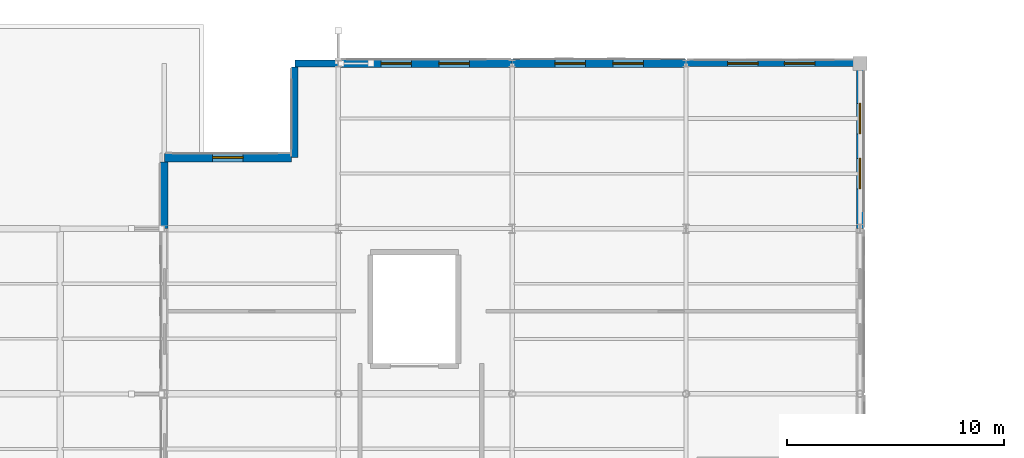
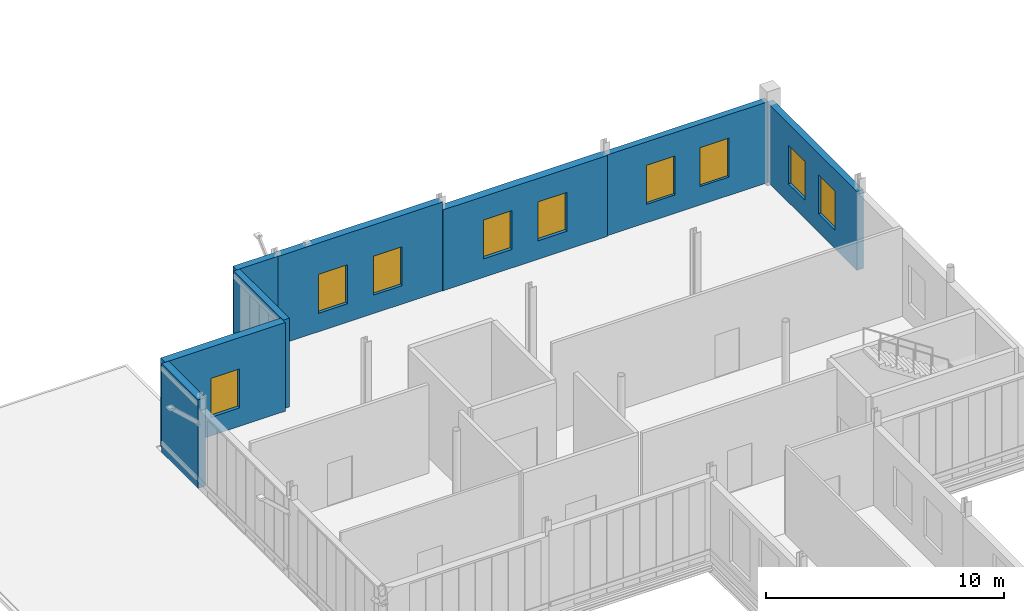
# One storey, part 103 of 120: 9 windows, 8 walls, 9 openings.
"""IFC4 building model written with IfcOpenShell, lengths in metres."""

from ifc_helpers import new_model, si_unit, direction, frame, frame_2d, origin, place, context, subcontext, project, spatial, rectangle, extrude, material, layer, layer_set, type_object, element, fill, save


model = new_model("IFC4")

# Units and contexts
model_context = context("Model", 3, precision=1e-05, world=origin(), true_north=direction((0.0, 1.0)))
body_context = subcontext(model_context, "Body", "Model", "MODEL_VIEW")
ifc_project = project(units=[si_unit("LENGTHUNIT", "METRE"), si_unit("AREAUNIT", "SQUARE_METRE"), si_unit("VOLUMEUNIT", "CUBIC_METRE"), si_unit("PLANEANGLEUNIT", "RADIAN"), si_unit("MASSUNIT", "GRAM", prefix="KILO")], contexts=[model_context])

# Site, building, storey
site_placement = place(None, origin())
site = spatial("IfcSite", under=ifc_project, at=site_placement, CompositionType="ELEMENT")
building_placement = place(site_placement, origin())
building = spatial("IfcBuilding", under=site, at=building_placement, Name="Vekula Escarpment Museum", CompositionType="ELEMENT")
storey_placement = place(building_placement, frame((0.0, 0.0, 13.199951171875)))
storey = spatial("IfcBuildingStorey", under=building, at=storey_placement, Name="L03", CompositionType="ELEMENT", Elevation=13.199951171875)

# Wall, openings, windows
ifc_material_1 = material(Name="Inkisi arkosic sandstone masonry", Category="masonry")
ifc_layer_1 = layer(ifc_material_1, 0.300048828125)
ifc_layer_set_1 = layer_set([ifc_layer_1], Name="Inkisi arkosic sandstone masonry")
wall_type_1 = type_object("IfcWallType", Name="WL-ALM-300", PredefinedType="SOLIDWALL", material=ifc_layer_set_1)
wall_1_placement = place(storey_placement, frame((48.0, 136.0, 0.0), z_axis=(0.0, 0.0, 1.0), x_axis=(1.0, 0.0, 0.0)))
wall_1 = element("IfcWall", 1, at=wall_1_placement, inside=storey, type_object=wall_type_1, Name="Exterior Wall WL-EXT-L03-0659", PredefinedType="SOLIDWALL", context=body_context, shape_type="SweptSolid", body=[
    extrude(rectangle(XDim=7.8359375, YDim=0.300048828125, at=frame_2d((3.91796875, 0.0))), origin(), (0.0, 0.0, 1.0), 4.155029296875),
])
opening_1_placement = place(wall_1_placement, frame((1.912109375, 0.0, 0.949951171875)))
opening_1 = element("IfcOpeningElement", 2, at=opening_1_placement, cuts=wall_1, Name="Opening WN-09", PredefinedType="OPENING", context=body_context, shape_type="SweptSolid", body=[
    extrude(rectangle(XDim=1.39990234375, YDim=2.0, at=frame_2d((0.699951171875, 1.0))), frame((0.0, 0.159912109375, 0.0), z_axis=(0.0, -1.0, 0.0), x_axis=(1.0, 0.0, 0.0)), (0.0, 0.0, 1.0), 0.320068359375),
])
opening_2_placement = place(wall_1_placement, frame((4.52392578125, 0.0, 0.949951171875)))
opening_2 = element("IfcOpeningElement", 3, at=opening_2_placement, cuts=wall_1, Name="Opening WN-09", PredefinedType="OPENING", context=body_context, shape_type="SweptSolid", body=[
    extrude(rectangle(XDim=1.39990234375, YDim=2.0, at=frame_2d((0.699951171875, 1.0))), frame((0.0, 0.159912109375, 0.0), z_axis=(0.0, -1.0, 0.0), x_axis=(1.0, 0.0, 0.0)), (0.0, 0.0, 1.0), 0.320068359375),
])
ifc_material_2 = material(Name="Double solar-control low-E glass", Category="glass")
window_type = type_object("IfcWindowType", Name="WN-LAB-14x20", PartitioningType="SINGLE_PANEL", PredefinedType="WINDOW", material=ifc_material_2)
window_1_placement = place(opening_1_placement, origin())
window_1 = element("IfcWindow", 4, at=window_1_placement, inside=storey, type_object=window_type, Name="Window L03-0326", OverallHeight=2.0, OverallWidth=1.39990234375, PartitioningType="SINGLE_PANEL", PredefinedType="WINDOW", context=body_context, shape_type="SweptSolid", body=[
    extrude(rectangle(XDim=1.39990234375, YDim=2.0, at=frame_2d((0.699951171875, 1.0))), frame((0.0, 0.030029296875, 0.0), z_axis=(0.0, -1.0, 0.0), x_axis=(1.0, 0.0, 0.0)), (0.0, 0.0, 1.0), 0.06005859375),
])
fill(opening_1, window_1)
window_2_placement = place(opening_2_placement, origin())
window_2 = element("IfcWindow", 5, at=window_2_placement, inside=storey, type_object=window_type, Name="Window L03-0327", OverallHeight=2.0, OverallWidth=1.39990234375, PartitioningType="SINGLE_PANEL", PredefinedType="WINDOW", context=body_context, shape_type="SweptSolid", body=[
    extrude(rectangle(XDim=1.39990234375, YDim=2.0, at=frame_2d((0.699951171875, 1.0))), frame((0.0, 0.030029296875, 0.0), z_axis=(0.0, -1.0, 0.0), x_axis=(1.0, 0.0, 0.0)), (0.0, 0.0, 1.0), 0.06005859375),
])
fill(opening_2, window_2)

# Wall
wall_2_placement = place(storey_placement, frame((30.0, 131.66796875, 0.0), z_axis=(0.0, 0.0, 1.0), x_axis=(0.0, 1.0, 0.0)))
element("IfcWall", 6, at=wall_2_placement, inside=storey, type_object=wall_type_1, Name="Exterior Wall WL-EXT-L03-0663", PredefinedType="SOLIDWALL", context=body_context, shape_type="SweptSolid", body=[
    extrude(rectangle(XDim=4.16796875, YDim=0.300048828125, at=frame_2d((2.083984375, 0.0))), origin(), (0.0, 0.0, 1.0), 4.56005859375),
])

# Wall, openings, windows
ifc_material_3 = material(Name="Inkisi arkosic sandstone masonry", Category="masonry")
ifc_layer_2 = layer(ifc_material_3, 0.320068359375)
ifc_layer_set_2 = layer_set([ifc_layer_2], Name="Inkisi arkosic sandstone masonry")
wall_type_2 = type_object("IfcWallType", Name="WL-ALM-320", PredefinedType="SOLIDWALL", material=ifc_layer_set_2)
wall_3_placement = place(storey_placement, frame((56.0, 136.0, 0.0), z_axis=(0.0, 0.0, 1.0), x_axis=(0.0, -1.0, 0.0)))
wall_3 = element("IfcWall", 7, at=wall_3_placement, inside=storey, type_object=wall_type_2, Name="Exterior Wall WL-EXT-L03-0658", PredefinedType="SOLIDWALL", context=body_context, shape_type="SweptSolid", body=[
    extrude(rectangle(XDim=7.60009765625, YDim=0.320068359375, at=frame_2d((3.800048828125, 0.0))), origin(), (0.0, 0.0, 1.0), 4.045166015625),
])
opening_3_placement = place(wall_3_placement, frame((1.833251953125, 0.0, 0.949951171875)))
opening_3 = element("IfcOpeningElement", 8, at=opening_3_placement, cuts=wall_3, Name="Opening WN-09", PredefinedType="OPENING", context=body_context, shape_type="SweptSolid", body=[
    extrude(rectangle(XDim=1.39990234375, YDim=2.0, at=frame_2d((0.699951171875, 1.0))), frame((0.0, 0.169921875, 0.0), z_axis=(0.0, -1.0, 0.0), x_axis=(1.0, 0.0, 0.0)), (0.0, 0.0, 1.0), 0.340087890625),
])
opening_4_placement = place(wall_3_placement, frame((4.36669921875, 0.0, 0.949951171875)))
opening_4 = element("IfcOpeningElement", 9, at=opening_4_placement, cuts=wall_3, Name="Opening WN-09", PredefinedType="OPENING", context=body_context, shape_type="SweptSolid", body=[
    extrude(rectangle(XDim=1.39990234375, YDim=2.0, at=frame_2d((0.699951171875, 1.0))), frame((0.0, 0.169921875, 0.0), z_axis=(0.0, -1.0, 0.0), x_axis=(1.0, 0.0, 0.0)), (0.0, 0.0, 1.0), 0.340087890625),
])
window_3_placement = place(opening_3_placement, origin())
window_3 = element("IfcWindow", 10, at=window_3_placement, inside=storey, type_object=window_type, Name="Window L03-0324", OverallHeight=2.0, OverallWidth=1.39990234375, PartitioningType="SINGLE_PANEL", PredefinedType="WINDOW", context=body_context, shape_type="SweptSolid", body=[
    extrude(rectangle(XDim=1.39990234375, YDim=2.0, at=frame_2d((0.699951171875, 1.0))), frame((0.0, 0.030029296875, 0.0), z_axis=(0.0, -1.0, 0.0), x_axis=(1.0, 0.0, 0.0)), (0.0, 0.0, 1.0), 0.06005859375),
])
fill(opening_3, window_3)
window_4_placement = place(opening_4_placement, origin())
window_4 = element("IfcWindow", 11, at=window_4_placement, inside=storey, type_object=window_type, Name="Window L03-0325", OverallHeight=2.0, OverallWidth=1.39990234375, PartitioningType="SINGLE_PANEL", PredefinedType="WINDOW", context=body_context, shape_type="SweptSolid", body=[
    extrude(rectangle(XDim=1.39990234375, YDim=2.0, at=frame_2d((0.699951171875, 1.0))), frame((0.0, 0.030029296875, 0.0), z_axis=(0.0, -1.0, 0.0), x_axis=(1.0, 0.0, 0.0)), (0.0, 0.0, 1.0), 0.06005859375),
])
fill(opening_4, window_4)

# Wall
wall_4_placement = place(storey_placement, frame((30.0, 136.0, 0.0), z_axis=(0.0, 0.0, 1.0), x_axis=(1.0, 0.0, 0.0)))
element("IfcWall", 12, at=wall_4_placement, inside=storey, type_object=wall_type_2, Name="Exterior Wall WL-EXT-L03-0662", PredefinedType="SOLIDWALL", context=body_context, shape_type="SweptSolid", body=[
    extrude(rectangle(XDim=2.0, YDim=0.320068359375, at=frame_2d((1.0, 0.0))), origin(), (0.0, 0.0, 1.0), 4.56005859375),
])

# Wall, openings, windows
ifc_material_4 = material(Name="Inkisi arkosic sandstone masonry", Category="masonry")
ifc_layer_3 = layer(ifc_material_4, 0.35009765625)
ifc_layer_set_3 = layer_set([ifc_layer_3], Name="Inkisi arkosic sandstone masonry")
wall_type_3 = type_object("IfcWallType", Name="WL-ALM-350", PredefinedType="SOLIDWALL", material=ifc_layer_set_3)
wall_5_placement = place(storey_placement, frame((32.0, 136.0, 0.0), z_axis=(0.0, 0.0, 1.0), x_axis=(1.0, 0.0, 0.0)))
wall_5 = element("IfcWall", 13, at=wall_5_placement, inside=storey, type_object=wall_type_3, Name="Exterior Wall WL-EXT-L03-0661", PredefinedType="SOLIDWALL", context=body_context, shape_type="SweptSolid", body=[
    extrude(rectangle(XDim=8.0, YDim=0.35009765625, at=frame_2d((4.0, 0.0))), origin(), (0.0, 0.0, 1.0), 4.56005859375),
])
opening_5_placement = place(wall_5_placement, frame((1.966796875, 0.0, 0.949951171875)))
opening_5 = element("IfcOpeningElement", 14, at=opening_5_placement, cuts=wall_5, Name="Opening WN-09", PredefinedType="OPENING", context=body_context, shape_type="SweptSolid", body=[
    extrude(rectangle(XDim=1.39990234375, YDim=2.0, at=frame_2d((0.699951171875, 1.0))), frame((0.0, 0.18505859375, 0.0), z_axis=(0.0, -1.0, 0.0), x_axis=(1.0, 0.0, 0.0)), (0.0, 0.0, 1.0), 0.3701171875),
])
opening_6_placement = place(wall_5_placement, frame((4.63330078125, 0.0, 0.949951171875)))
opening_6 = element("IfcOpeningElement", 15, at=opening_6_placement, cuts=wall_5, Name="Opening WN-09", PredefinedType="OPENING", context=body_context, shape_type="SweptSolid", body=[
    extrude(rectangle(XDim=1.39990234375, YDim=2.0, at=frame_2d((0.699951171875, 1.0))), frame((0.0, 0.18505859375, 0.0), z_axis=(0.0, -1.0, 0.0), x_axis=(1.0, 0.0, 0.0)), (0.0, 0.0, 1.0), 0.3701171875),
])
window_5_placement = place(opening_5_placement, origin())
window_5 = element("IfcWindow", 16, at=window_5_placement, inside=storey, type_object=window_type, Name="Window L03-0330", OverallHeight=2.0, OverallWidth=1.39990234375, PartitioningType="SINGLE_PANEL", PredefinedType="WINDOW", context=body_context, shape_type="SweptSolid", body=[
    extrude(rectangle(XDim=1.39990234375, YDim=2.0, at=frame_2d((0.699951171875, 1.0))), frame((0.0, 0.030029296875, 0.0), z_axis=(0.0, -1.0, 0.0), x_axis=(1.0, 0.0, 0.0)), (0.0, 0.0, 1.0), 0.06005859375),
])
fill(opening_5, window_5)
window_6_placement = place(opening_6_placement, origin())
window_6 = element("IfcWindow", 17, at=window_6_placement, inside=storey, type_object=window_type, Name="Window L03-0331", OverallHeight=2.0, OverallWidth=1.39990234375, PartitioningType="SINGLE_PANEL", PredefinedType="WINDOW", context=body_context, shape_type="SweptSolid", body=[
    extrude(rectangle(XDim=1.39990234375, YDim=2.0, at=frame_2d((0.699951171875, 1.0))), frame((0.0, 0.030029296875, 0.0), z_axis=(0.0, -1.0, 0.0), x_axis=(1.0, 0.0, 0.0)), (0.0, 0.0, 1.0), 0.06005859375),
])
fill(opening_6, window_6)

# Wall
wall_6_placement = place(storey_placement, frame((24.0, 128.39990234375, 0.0), z_axis=(0.0, 0.0, 1.0), x_axis=(0.0, 1.0, 0.0)))
element("IfcWall", 18, at=wall_6_placement, inside=storey, type_object=wall_type_3, Name="Exterior Wall WL-EXT-L03-0665", PredefinedType="SOLIDWALL", context=body_context, shape_type="SweptSolid", body=[
    extrude(rectangle(XDim=3.07421875, YDim=0.35009765625, at=frame_2d((1.537109375, 0.0))), origin(), (0.0, 0.0, 1.0), 4.56005859375),
])

# Wall, openings, windows
ifc_material_5 = material(Name="Inkisi arkosic sandstone masonry", Category="masonry")
ifc_layer_4 = layer(ifc_material_5, 0.3798828125)
ifc_layer_set_4 = layer_set([ifc_layer_4], Name="Inkisi arkosic sandstone masonry")
wall_type_4 = type_object("IfcWallType", Name="WL-ALM-380", PredefinedType="SOLIDWALL", material=ifc_layer_set_4)
wall_7_placement = place(storey_placement, frame((40.0, 136.0, 0.0), z_axis=(0.0, 0.0, 1.0), x_axis=(1.0, 0.0, 0.0)))
wall_7 = element("IfcWall", 19, at=wall_7_placement, inside=storey, type_object=wall_type_4, Name="Exterior Wall WL-EXT-L03-0660", PredefinedType="SOLIDWALL", context=body_context, shape_type="SweptSolid", body=[
    extrude(rectangle(XDim=8.0, YDim=0.3798828125, at=frame_2d((4.0, 0.0))), origin(), (0.0, 0.0, 1.0), 4.155029296875),
])
opening_7_placement = place(wall_7_placement, frame((1.966796875, 0.0, 0.949951171875)))
opening_7 = element("IfcOpeningElement", 20, at=opening_7_placement, cuts=wall_7, Name="Opening WN-09", PredefinedType="OPENING", context=body_context, shape_type="SweptSolid", body=[
    extrude(rectangle(XDim=1.39990234375, YDim=2.0, at=frame_2d((0.699951171875, 1.0))), frame((0.0, 0.199951171875, 0.0), z_axis=(0.0, -1.0, 0.0), x_axis=(1.0, 0.0, 0.0)), (0.0, 0.0, 1.0), 0.39990234375),
])
opening_8_placement = place(wall_7_placement, frame((4.63330078125, 0.0, 0.949951171875)))
opening_8 = element("IfcOpeningElement", 21, at=opening_8_placement, cuts=wall_7, Name="Opening WN-09", PredefinedType="OPENING", context=body_context, shape_type="SweptSolid", body=[
    extrude(rectangle(XDim=1.39990234375, YDim=2.0, at=frame_2d((0.699951171875, 1.0))), frame((0.0, 0.199951171875, 0.0), z_axis=(0.0, -1.0, 0.0), x_axis=(1.0, 0.0, 0.0)), (0.0, 0.0, 1.0), 0.39990234375),
])
window_7_placement = place(opening_7_placement, origin())
window_7 = element("IfcWindow", 22, at=window_7_placement, inside=storey, type_object=window_type, Name="Window L03-0328", OverallHeight=2.0, OverallWidth=1.39990234375, PartitioningType="SINGLE_PANEL", PredefinedType="WINDOW", context=body_context, shape_type="SweptSolid", body=[
    extrude(rectangle(XDim=1.39990234375, YDim=2.0, at=frame_2d((0.699951171875, 1.0))), frame((0.0, 0.030029296875, 0.0), z_axis=(0.0, -1.0, 0.0), x_axis=(1.0, 0.0, 0.0)), (0.0, 0.0, 1.0), 0.06005859375),
])
fill(opening_7, window_7)
window_8_placement = place(opening_8_placement, origin())
window_8 = element("IfcWindow", 23, at=window_8_placement, inside=storey, type_object=window_type, Name="Window L03-0329", OverallHeight=2.0, OverallWidth=1.39990234375, PartitioningType="SINGLE_PANEL", PredefinedType="WINDOW", context=body_context, shape_type="SweptSolid", body=[
    extrude(rectangle(XDim=1.39990234375, YDim=2.0, at=frame_2d((0.699951171875, 1.0))), frame((0.0, 0.030029296875, 0.0), z_axis=(0.0, -1.0, 0.0), x_axis=(1.0, 0.0, 0.0)), (0.0, 0.0, 1.0), 0.06005859375),
])
fill(opening_8, window_8)

# Wall, opening, window
wall_8_placement = place(storey_placement, frame((24.0, 131.66796875, 0.0), z_axis=(0.0, 0.0, 1.0), x_axis=(1.0, 0.0, 0.0)))
wall_8 = element("IfcWall", 24, at=wall_8_placement, inside=storey, type_object=wall_type_4, Name="Exterior Wall WL-EXT-L03-0664", PredefinedType="SOLIDWALL", context=body_context, shape_type="SweptSolid", body=[
    extrude(rectangle(XDim=5.845947265625, YDim=0.3798828125, at=frame_2d((2.9228515625, 0.0))), origin(), (0.0, 0.0, 1.0), 4.56005859375),
])
opening_9_placement = place(wall_8_placement, frame((2.222900390625, 0.0, 0.949951171875)))
opening_9 = element("IfcOpeningElement", 25, at=opening_9_placement, cuts=wall_8, Name="Opening WN-09", PredefinedType="OPENING", context=body_context, shape_type="SweptSolid", body=[
    extrude(rectangle(XDim=1.39990234375, YDim=2.0, at=frame_2d((0.699951171875, 1.0))), frame((0.0, 0.199951171875, 0.0), z_axis=(0.0, -1.0, 0.0), x_axis=(1.0, 0.0, 0.0)), (0.0, 0.0, 1.0), 0.39990234375),
])
window_9_placement = place(opening_9_placement, origin())
window_9 = element("IfcWindow", 26, at=window_9_placement, inside=storey, type_object=window_type, Name="Window L03-0332", OverallHeight=2.0, OverallWidth=1.39990234375, PartitioningType="SINGLE_PANEL", PredefinedType="WINDOW", context=body_context, shape_type="SweptSolid", body=[
    extrude(rectangle(XDim=1.39990234375, YDim=2.0, at=frame_2d((0.699951171875, 1.0))), frame((0.0, 0.030029296875, 0.0), z_axis=(0.0, -1.0, 0.0), x_axis=(1.0, 0.0, 0.0)), (0.0, 0.0, 1.0), 0.06005859375),
])
fill(opening_9, window_9)

save(model, "model.ifc")
